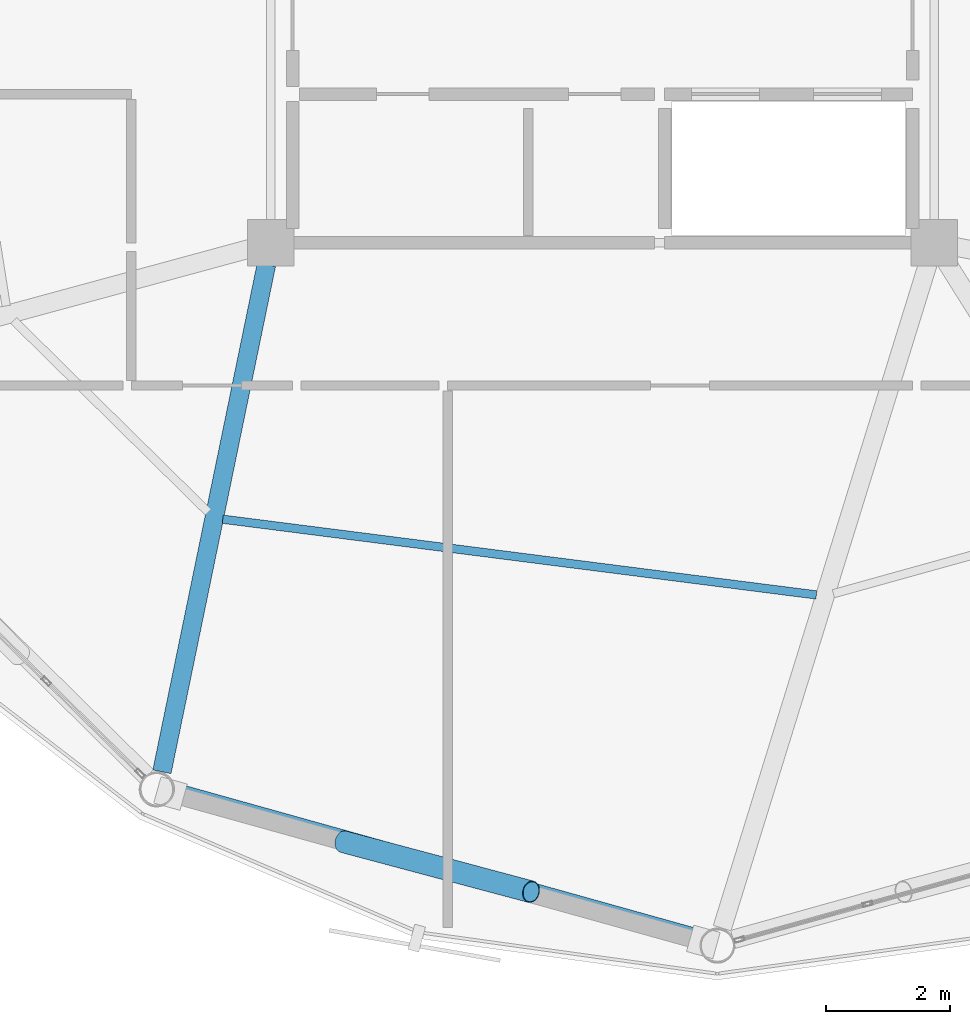
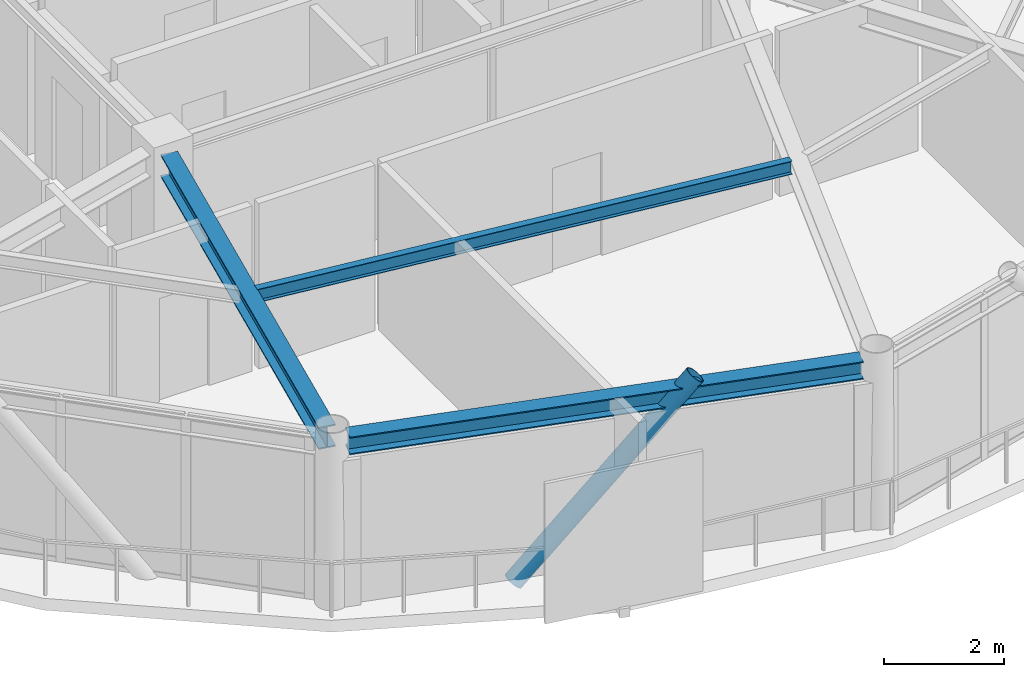
# One storey, part 3 of 27: 3 beams, 1 member.
"""IFC4 building model written with IfcOpenShell, lengths in metres."""

from ifc_helpers import new_model, si_unit, direction, frame, origin, origin_2d, place, context, subcontext, project, spatial, hollow_circle, i_section, extrude, material, material_profile, profile_set, type_object, element, save


model = new_model("IFC4")

# Units and contexts
model_context = context("Model", 3, precision=1e-05, world=origin(), true_north=direction((0.0, 1.0)))
body_context = subcontext(model_context, "Body", "Model", "MODEL_VIEW")
ifc_project = project(units=[si_unit("LENGTHUNIT", "METRE"), si_unit("AREAUNIT", "SQUARE_METRE"), si_unit("VOLUMEUNIT", "CUBIC_METRE"), si_unit("PLANEANGLEUNIT", "RADIAN"), si_unit("MASSUNIT", "GRAM", prefix="KILO")], contexts=[model_context])

# Site, building, storey
site_placement = place(None, origin())
site = spatial("IfcSite", under=ifc_project, at=site_placement, CompositionType="ELEMENT")
building_placement = place(site_placement, origin())
building = spatial("IfcBuilding", under=site, at=building_placement, Name="Varnakorn Sky Granary", CompositionType="ELEMENT")
storey_placement = place(building_placement, frame((0.0, 0.0, 263.39990234375)))
storey = spatial("IfcBuildingStorey", under=building, at=storey_placement, Name="L67", CompositionType="ELEMENT", Elevation=263.39990234375)

# Beams
ifc_material_1 = material(Name="Steel S355JR", Category="steel")
ifc_material_profile_1 = material_profile(ifc_material_1, i_section(OverallWidth=0.300048828125, OverallDepth=0.449951171875, WebThickness=0.013916015625, FlangeThickness=0.02587890625, at=origin_2d()), Name="HE 450 B")
ifc_profile_set_1 = profile_set([ifc_material_profile_1], Name="Steel S355JR")
beam_type_1 = type_object("IfcBeamType", Name="BM-RAD-Z5", PredefinedType="BEAM", material=ifc_profile_set_1)
beam_1_placement = place(storey_placement, frame((-2.421630859375, -6.94775390625, 3.135009765625), z_axis=(-0.201801370919, -0.979426468243, 0.0), x_axis=(0.979426468243, -0.201801370919, 0.0)))
element("IfcBeam", 1, at=beam_1_placement, inside=storey, type_object=beam_type_1, Name="Radial Floor Girder RG09 L67", PredefinedType="BEAM", context=body_context, shape_type="SweptSolid", body=[
    extrude(i_section(OverallWidth=0.300048828125, OverallDepth=0.449951171875, WebThickness=0.013916015625, FlangeThickness=0.02587890625, at=origin_2d()), origin(), (0.0, 0.0, 1.0), 8.3525390625),
])
ifc_material_profile_2 = material_profile(ifc_material_1, i_section(OverallWidth=0.135009765625, OverallDepth=0.27001953125, WebThickness=0.006591796875, FlangeThickness=0.01025390625, at=origin_2d()), Name="IPE 270")
ifc_profile_set_2 = profile_set([ifc_material_profile_2], Name="Steel S355JR")
beam_type_2 = type_object("IfcBeamType", Name="BM-SEC-Z5", PredefinedType="BEAM", material=ifc_profile_set_2)
beam_2_placement = place(storey_placement, frame((-3.12548828125, -11.055908203125, 3.22509765625), z_axis=(0.991961809702, -0.126537615325, 0.0), x_axis=(0.126537615325, 0.991961809702, 0.0)))
element("IfcBeam", 2, at=beam_2_placement, inside=storey, type_object=beam_type_2, Name="Secondary Floor Chord Beam MSB09 L67", PredefinedType="BEAM", context=body_context, shape_type="SweptSolid", body=[
    extrude(i_section(OverallWidth=0.135009765625, OverallDepth=0.27001953125, WebThickness=0.006591796875, FlangeThickness=0.01025390625, at=origin_2d()), origin(), (0.0, 0.0, 1.0), 9.65087890625),
])
ifc_material_profile_3 = material_profile(ifc_material_1, i_section(OverallWidth=0.300048828125, OverallDepth=0.360107421875, WebThickness=0.012451171875, FlangeThickness=0.0224609375, at=origin_2d()), Name="HE 360 B")
ifc_profile_set_3 = profile_set([ifc_material_profile_3], Name="Steel S355JR")
beam_type_3 = type_object("IfcBeamType", Name="BM-SPD-Z5", PredefinedType="SPANDREL", material=ifc_profile_set_3)
beam_3_placement = place(storey_placement, frame((-3.90576171875, -15.45849609375, 3.18017578125), z_axis=(0.963169148577, -0.268896246218, 0.0), x_axis=(0.268896246218, 0.963169148577, 0.0)))
element("IfcBeam", 3, at=beam_3_placement, inside=storey, type_object=beam_type_3, Name="Perimeter Spandrel Ring Beam RB09 L67", PredefinedType="SPANDREL", context=body_context, shape_type="SweptSolid", body=[
    extrude(i_section(OverallWidth=0.300048828125, OverallDepth=0.360107421875, WebThickness=0.012451171875, FlangeThickness=0.0224609375, at=origin_2d()), origin(), (0.0, 0.0, 1.0), 8.825927734375),
])

# Member
ifc_material_2 = material(Name="Steel S460M", Category="steel")
ifc_material_profile_4 = material_profile(ifc_material_2, hollow_circle(Radius=0.177734375, WallThickness=0.01416015625, at=origin_2d()), Name="CHS 355.6x14")
ifc_profile_set_4 = profile_set([ifc_material_profile_4], Name="Steel S460M")
member_type = type_object("IfcMemberType", Name="MB-DIAG-T5", PredefinedType="BRACE", material=ifc_profile_set_4)
member_placement = place(storey_placement, frame((-1.1796875, -16.257080078125, -0.1298828125), z_axis=(0.632190475095, -0.168669132807, 0.75623139768), x_axis=(0.257783941573, 0.966202587177, 0.0)))
element("IfcMember", 4, at=member_placement, inside=storey, type_object=member_type, Name="Perimeter CHS Diagrid Brace DG09 L67", PredefinedType="BRACE", context=body_context, shape_type="SweptSolid", body=[
    extrude(hollow_circle(Radius=0.177734375, WallThickness=0.01416015625, at=origin_2d()), origin(), (0.0, 0.0, 1.0), 4.78662109375),
])

save(model, "model.ifc")
